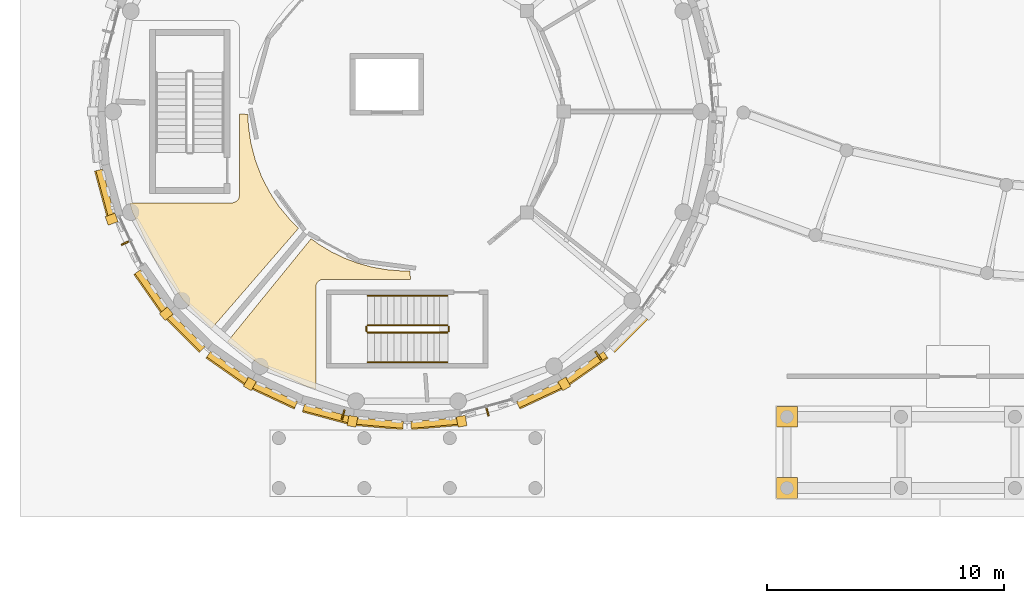
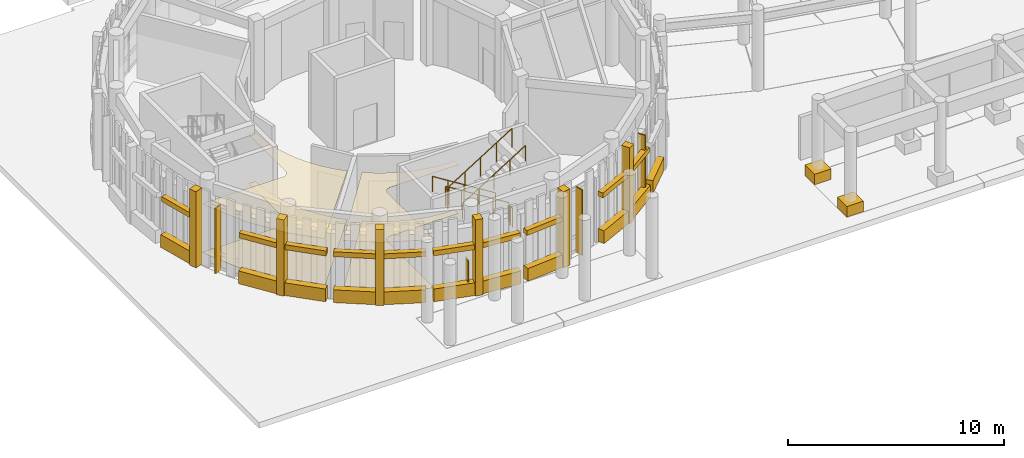
# One storey, part 66 of 94: 33 coverings, 6 railings, 4 shading devices.
"""IFC4 building model written with IfcOpenShell, lengths in metres."""

from ifc_helpers import new_model, si_unit, direction, frame, origin, origin_2d, place, context, subcontext, project, spatial, polyline, rectangle, circle, outline, extrude, material, layer, layer_set, type_object, element, save


model = new_model("IFC4")

# Units and contexts
model_context = context("Model", 3, precision=1e-05, world=origin(), true_north=direction((0.0, 1.0)))
body_context = subcontext(model_context, "Body", "Model", "MODEL_VIEW")
ifc_project = project(units=[si_unit("LENGTHUNIT", "METRE"), si_unit("AREAUNIT", "SQUARE_METRE"), si_unit("VOLUMEUNIT", "CUBIC_METRE"), si_unit("PLANEANGLEUNIT", "RADIAN"), si_unit("MASSUNIT", "GRAM", prefix="KILO")], contexts=[model_context])

# Site, building, storey
site_placement = place(None, origin())
site = spatial("IfcSite", under=ifc_project, at=site_placement, CompositionType="ELEMENT")
building_placement = place(site_placement, origin())
building = spatial("IfcBuilding", under=site, at=building_placement, Name="Aldenvaro Health Centre", CompositionType="ELEMENT")
storey_placement = place(building_placement, origin())
storey = spatial("IfcBuildingStorey", under=building, at=storey_placement, Name="L00", CompositionType="ELEMENT", Elevation=0.0)

# Coverings
ifc_material_1 = material(Name="Antimicrobial Mineral Fibre Ceiling")
ifc_layer_1 = layer(ifc_material_1, 0.01806640625, Name="Antimicrobial Mineral Fibre Ceiling")
ifc_layer_set_1 = layer_set([ifc_layer_1], Name="Antimicrobial Mineral Fibre Ceiling")
covering_type_1 = type_object("IfcCoveringType", Name="COV-CLG-ACT18", PredefinedType="CEILING", material=ifc_layer_set_1)
covering_1_placement = place(storey_placement, frame((0.0, 0.0, 2.75)))
element("IfcCovering", 1, at=covering_1_placement, inside=storey, type_object=covering_type_1, Name="D5-L00-R03 Suspended Ceiling", PredefinedType="CEILING", context=body_context, shape_type="SweptSolid", body=[
    extrude(outline(polyline([(11.81689453125, 17.907958984375), (11.819091796875, 17.882080078125), (11.9208984375, 17.180908203125), (11.927001953125, 17.155029296875), (12.10498046875, 16.469970703125), (12.113037109375, 16.445068359375), (12.364990234375, 15.782958984375), (12.3759765625, 15.759033203125), (12.698974609375, 15.12890625), (12.7119140625, 15.10595703125), (13.10205078125, 14.514892578125), (13.117919921875, 14.493896484375), (13.570068359375, 13.948974609375), (13.587890625, 13.928955078125), (13.93408203125, 13.594970703125), (10.27392578125, 9.3701171875), (9.06298828125, 10.5810546875), (7.8310546875, 12.341064453125), (6.924072265625, 14.287109375), (6.823974609375, 14.659912109375), (11.1201171875, 14.659912109375), (11.132080078125, 14.659912109375), (11.139892578125, 14.660888671875), (11.1630859375, 14.6630859375), (11.1708984375, 14.6640625), (11.194091796875, 14.6689453125), (11.201904296875, 14.6708984375), (11.22412109375, 14.677001953125), (11.23095703125, 14.679931640625), (11.2529296875, 14.68896484375), (11.260009765625, 14.69189453125), (11.281005859375, 14.7041015625), (11.2880859375, 14.7080078125), (11.306884765625, 14.720947265625), (11.31396484375, 14.72509765625), (11.33203125, 14.739990234375), (11.337890625, 14.74609375), (11.35400390625, 14.761962890625), (11.360107421875, 14.76806640625), (11.375, 14.785888671875), (11.37890625, 14.79296875), (11.39208984375, 14.81201171875), (11.39599609375, 14.819091796875), (11.407958984375, 14.840087890625), (11.410888671875, 14.846923828125), (11.419921875, 14.868896484375), (11.423095703125, 14.8759765625), (11.428955078125, 14.89794921875), (11.430908203125, 14.906005859375), (11.43603515625, 14.928955078125), (11.43701171875, 14.93701171875), (11.43896484375, 14.9599609375), (11.43994140625, 14.968017578125), (11.43994140625, 14.97998046875), (11.43994140625, 18.39599609375), (11.799072265625, 18.388916015625), (11.81689453125, 17.907958984375)])), origin(), (0.0, 0.0, 1.0), 0.01806640625),
])
covering_2_placement = place(storey_placement, frame((0.0, 0.0, 2.75)))
element("IfcCovering", 2, at=covering_2_placement, inside=storey, type_object=covering_type_1, Name="D5-L00-R04 Suspended Ceiling", PredefinedType="CEILING", context=body_context, shape_type="SweptSolid", body=[
    extrude(outline(polyline([(14.756103515625, 12.931884765625), (14.77392578125, 12.919921875), (15.283935546875, 12.611083984375), (15.302978515625, 12.60107421875), (15.839111328125, 12.341064453125), (15.85888671875, 12.33203125), (16.416015625, 12.1220703125), (16.43701171875, 12.114990234375), (17.010986328125, 11.95703125), (17.032958984375, 11.952880859375), (17.618896484375, 11.847900390625), (17.64111328125, 11.844970703125), (18.23388671875, 11.7958984375), (18.256103515625, 11.794921875), (18.623046875, 11.798095703125), (18.64208984375, 11.43994140625), (14.97998046875, 11.43994140625), (14.968017578125, 11.43994140625), (14.9599609375, 11.43896484375), (14.93701171875, 11.43701171875), (14.928955078125, 11.43603515625), (14.906005859375, 11.430908203125), (14.89794921875, 11.428955078125), (14.8759765625, 11.423095703125), (14.868896484375, 11.419921875), (14.846923828125, 11.410888671875), (14.840087890625, 11.407958984375), (14.819091796875, 11.39599609375), (14.81201171875, 11.39208984375), (14.79296875, 11.37890625), (14.785888671875, 11.375), (14.76806640625, 11.360107421875), (14.761962890625, 11.35400390625), (14.74609375, 11.337890625), (14.739990234375, 11.33203125), (14.72509765625, 11.31396484375), (14.720947265625, 11.306884765625), (14.7080078125, 11.2880859375), (14.7041015625, 11.281005859375), (14.69189453125, 11.260009765625), (14.68896484375, 11.2529296875), (14.679931640625, 11.23095703125), (14.677001953125, 11.22412109375), (14.6708984375, 11.201904296875), (14.6689453125, 11.194091796875), (14.6640625, 11.1708984375), (14.6630859375, 11.1630859375), (14.660888671875, 11.139892578125), (14.659912109375, 11.132080078125), (14.659912109375, 11.1201171875), (14.659912109375, 6.823974609375), (14.287109375, 6.924072265625), (12.341064453125, 7.8310546875), (10.93701171875, 8.81396484375), (14.4609375, 13.14990234375), (14.756103515625, 12.931884765625)])), origin(), (0.0, 0.0, 1.0), 0.01806640625),
])
ifc_material_2 = material(Name="Honed Sonoran Buff Limestone", Category="masonry")
ifc_layer_2 = layer(ifc_material_2, 0.280029296875, Name="Honed Sonoran Buff Limestone", Category="masonry")
ifc_layer_set_2 = layer_set([ifc_layer_2], Name="Honed Sonoran Buff Limestone")
covering_type_2 = type_object("IfcCoveringType", Name="COV-CRN-STN", PredefinedType="CLADDING", material=ifc_layer_set_2)
for number, where, z_axis, x_axis, name in (
    (3, (27.826904296875, 9.173095703125, 0.0), (0.0, 0.0, 1.0), (-0.707106781187, -0.707106781187, 0.0), "D5 L00 Rusticated Limestone Plinth 5.1"),
    (4, (26.06591796875, 7.695068359375, 0.0), (0.0, 0.0, 1.0), (-0.819106553991, -0.573641397746, 0.0), "D5 L00 Rusticated Limestone Plinth 6.1"),
):
    element("IfcCovering", number, at=place(storey_placement, frame(where, z_axis=z_axis, x_axis=x_axis)), inside=storey, type_object=covering_type_2, Name=name, PredefinedType="CLADDING", context=body_context, shape_type="SweptSolid", body=[
        extrude(rectangle(XDim=1.968994140625, YDim=0.340087890625, at=origin_2d()), origin(), (0.0, 0.0, 1.0), 0.719970703125),
    ])
covering_3_placement = place(storey_placement, frame((26.049072265625, 7.718994140625, 2.5498046875), z_axis=(0.0, 0.0, 1.0), x_axis=(-0.819106553991, -0.573641397746, 0.0)))
element("IfcCovering", 5, at=covering_3_placement, inside=storey, type_object=covering_type_2, Name="D5 L00 Rusticated Limestone Plinth 6.2", PredefinedType="CLADDING", context=body_context, shape_type="SweptSolid", body=[
    extrude(rectangle(XDim=1.968994140625, YDim=0.280029296875, at=origin_2d()), origin(), (0.0, 0.0, 1.0), 0.280029296875),
])
covering_4_placement = place(storey_placement, frame((24.074951171875, 6.544921875, 0.0), z_axis=(0.0, 0.0, 1.0), x_axis=(-0.906364844733, -0.422495879545, 0.0)))
element("IfcCovering", 6, at=covering_4_placement, inside=storey, type_object=covering_type_2, Name="D5 L00 Rusticated Limestone Plinth 7.1", PredefinedType="CLADDING", context=body_context, shape_type="SweptSolid", body=[
    extrude(rectangle(XDim=1.968994140625, YDim=0.340087890625, at=origin_2d()), origin(), (0.0, 0.0, 1.0), 0.719970703125),
])
covering_5_placement = place(storey_placement, frame((24.06201171875, 6.572021484375, 2.5498046875), z_axis=(0.0, 0.0, 1.0), x_axis=(-0.906364844733, -0.422495879545, 0.0)))
element("IfcCovering", 7, at=covering_5_placement, inside=storey, type_object=covering_type_2, Name="D5 L00 Rusticated Limestone Plinth 7.2", PredefinedType="CLADDING", context=body_context, shape_type="SweptSolid", body=[
    extrude(rectangle(XDim=1.968994140625, YDim=0.280029296875, at=origin_2d()), origin(), (0.0, 0.0, 1.0), 0.280029296875),
])
covering_6_placement = place(storey_placement, frame((25.1201171875, 7.033935546875, -0.00048828125), z_axis=(0.0, 0.0, 1.0), x_axis=(0.499990860177, -0.8660306806, 0.0)))
element("IfcCovering", 8, at=covering_6_placement, inside=storey, type_object=covering_type_2, Name="D5 L00 Engaged Classical Limestone Pilaster 04", PredefinedType="CLADDING", context=body_context, shape_type="SweptSolid", body=[
    extrude(rectangle(XDim=0.43994140625, YDim=0.3798828125, at=origin_2d()), origin(), (0.0, 0.0, 1.0), 4.304931640625),
])
covering_7_placement = place(storey_placement, frame((19.64990234375, 5.35888671875, 0.0), z_axis=(0.0, 0.0, 1.0), x_axis=(-0.996193717495, -0.087166950289, 0.0)))
element("IfcCovering", 9, at=covering_7_placement, inside=storey, type_object=covering_type_2, Name="D5 L00 Rusticated Limestone Plinth 9.1", PredefinedType="CLADDING", context=body_context, shape_type="SweptSolid", body=[
    extrude(rectangle(XDim=1.968994140625, YDim=0.340087890625, at=origin_2d()), origin(), (0.0, 0.0, 1.0), 0.719970703125),
])
covering_8_placement = place(storey_placement, frame((19.64697265625, 5.388916015625, 2.5498046875), z_axis=(0.0, 0.0, 1.0), x_axis=(-0.996193717495, -0.087166950289, 0.0)))
element("IfcCovering", 10, at=covering_8_placement, inside=storey, type_object=covering_type_2, Name="D5 L00 Rusticated Limestone Plinth 9.2", PredefinedType="CLADDING", context=body_context, shape_type="SweptSolid", body=[
    extrude(rectangle(XDim=1.968994140625, YDim=0.280029296875, at=origin_2d()), origin(), (0.0, 0.0, 1.0), 0.280029296875),
])
covering_9_placement = place(storey_placement, frame((20.799072265625, 5.4609375, -0.00048828125), z_axis=(0.0, 0.0, 1.0), x_axis=(0.173643819888, -0.984808521396, 0.0)))
element("IfcCovering", 11, at=covering_9_placement, inside=storey, type_object=covering_type_2, Name="D5 L00 Engaged Classical Limestone Pilaster 05", PredefinedType="CLADDING", context=body_context, shape_type="SweptSolid", body=[
    extrude(rectangle(XDim=0.43994140625, YDim=0.3798828125, at=origin_2d()), origin(), (0.0, 0.0, 1.0), 4.304931640625),
])
covering_10_placement = place(storey_placement, frame((17.35009765625, 5.35888671875, 0.0), z_axis=(0.0, 0.0, 1.0), x_axis=(-0.996193717495, 0.087166950289, 0.0)))
element("IfcCovering", 12, at=covering_10_placement, inside=storey, type_object=covering_type_2, Name="D5 L00 Rusticated Limestone Plinth 10.1", PredefinedType="CLADDING", context=body_context, shape_type="SweptSolid", body=[
    extrude(rectangle(XDim=1.968994140625, YDim=0.340087890625, at=origin_2d()), origin(), (0.0, 0.0, 1.0), 0.719970703125),
])
covering_11_placement = place(storey_placement, frame((17.35302734375, 5.388916015625, 2.5498046875), z_axis=(0.0, 0.0, 1.0), x_axis=(-0.996193717495, 0.087166950289, 0.0)))
element("IfcCovering", 13, at=covering_11_placement, inside=storey, type_object=covering_type_2, Name="D5 L00 Rusticated Limestone Plinth 10.2", PredefinedType="CLADDING", context=body_context, shape_type="SweptSolid", body=[
    extrude(rectangle(XDim=1.968994140625, YDim=0.280029296875, at=origin_2d()), origin(), (0.0, 0.0, 1.0), 0.280029296875),
])
covering_12_placement = place(storey_placement, frame((15.0859375, 5.759033203125, 0.0), z_axis=(0.0, 0.0, 1.0), x_axis=(-0.9659242304, 0.258825000966, 0.0)))
element("IfcCovering", 14, at=covering_12_placement, inside=storey, type_object=covering_type_2, Name="D5 L00 Rusticated Limestone Plinth 11.1", PredefinedType="CLADDING", context=body_context, shape_type="SweptSolid", body=[
    extrude(rectangle(XDim=1.968994140625, YDim=0.340087890625, at=origin_2d()), origin(), (0.0, 0.0, 1.0), 0.719970703125),
])
covering_13_placement = place(storey_placement, frame((15.093994140625, 5.7880859375, 2.5498046875), z_axis=(0.0, 0.0, 1.0), x_axis=(-0.9659242304, 0.258825000966, 0.0)))
element("IfcCovering", 15, at=covering_13_placement, inside=storey, type_object=covering_type_2, Name="D5 L00 Rusticated Limestone Plinth 11.2", PredefinedType="CLADDING", context=body_context, shape_type="SweptSolid", body=[
    extrude(rectangle(XDim=1.968994140625, YDim=0.280029296875, at=origin_2d()), origin(), (0.0, 0.0, 1.0), 0.280029296875),
])
covering_14_placement = place(storey_placement, frame((16.200927734375, 5.4609375, -0.00048828125), z_axis=(0.0, 0.0, 1.0), x_axis=(-0.173643819888, -0.984808521396, 0.0)))
element("IfcCovering", 16, at=covering_14_placement, inside=storey, type_object=covering_type_2, Name="D5 L00 Engaged Classical Limestone Pilaster 06", PredefinedType="CLADDING", context=body_context, shape_type="SweptSolid", body=[
    extrude(rectangle(XDim=0.43994140625, YDim=0.3798828125, at=origin_2d()), origin(), (0.0, 0.0, 1.0), 4.304931640625),
])
covering_15_placement = place(storey_placement, frame((12.925048828125, 6.544921875, 0.0), z_axis=(0.0, 0.0, 1.0), x_axis=(-0.906364844733, 0.422495879545, 0.0)))
element("IfcCovering", 17, at=covering_15_placement, inside=storey, type_object=covering_type_2, Name="D5 L00 Rusticated Limestone Plinth 12.1", PredefinedType="CLADDING", context=body_context, shape_type="SweptSolid", body=[
    extrude(rectangle(XDim=1.968994140625, YDim=0.340087890625, at=origin_2d()), origin(), (0.0, 0.0, 1.0), 0.719970703125),
])
covering_16_placement = place(storey_placement, frame((12.93798828125, 6.572021484375, 2.5498046875), z_axis=(0.0, 0.0, 1.0), x_axis=(-0.906364844733, 0.422495879545, 0.0)))
element("IfcCovering", 18, at=covering_16_placement, inside=storey, type_object=covering_type_2, Name="D5 L00 Rusticated Limestone Plinth 12.2", PredefinedType="CLADDING", context=body_context, shape_type="SweptSolid", body=[
    extrude(rectangle(XDim=1.968994140625, YDim=0.280029296875, at=origin_2d()), origin(), (0.0, 0.0, 1.0), 0.280029296875),
])
covering_17_placement = place(storey_placement, frame((10.93408203125, 7.695068359375, 0.0), z_axis=(0.0, 0.0, 1.0), x_axis=(-0.819106553991, 0.573641397746, 0.0)))
element("IfcCovering", 19, at=covering_17_placement, inside=storey, type_object=covering_type_2, Name="D5 L00 Rusticated Limestone Plinth 13.1", PredefinedType="CLADDING", context=body_context, shape_type="SweptSolid", body=[
    extrude(rectangle(XDim=1.968994140625, YDim=0.340087890625, at=origin_2d()), origin(), (0.0, 0.0, 1.0), 0.719970703125),
])
covering_18_placement = place(storey_placement, frame((10.950927734375, 7.718994140625, 2.5498046875), z_axis=(0.0, 0.0, 1.0), x_axis=(-0.819106553991, 0.573641397746, 0.0)))
element("IfcCovering", 20, at=covering_18_placement, inside=storey, type_object=covering_type_2, Name="D5 L00 Rusticated Limestone Plinth 13.2", PredefinedType="CLADDING", context=body_context, shape_type="SweptSolid", body=[
    extrude(rectangle(XDim=1.968994140625, YDim=0.280029296875, at=origin_2d()), origin(), (0.0, 0.0, 1.0), 0.280029296875),
])
covering_19_placement = place(storey_placement, frame((11.8798828125, 7.033935546875, -0.00048828125), z_axis=(0.0, 0.0, 1.0), x_axis=(-0.499990860177, -0.8660306806, 0.0)))
element("IfcCovering", 21, at=covering_19_placement, inside=storey, type_object=covering_type_2, Name="D5 L00 Engaged Classical Limestone Pilaster 07", PredefinedType="CLADDING", context=body_context, shape_type="SweptSolid", body=[
    extrude(rectangle(XDim=0.43994140625, YDim=0.3798828125, at=origin_2d()), origin(), (0.0, 0.0, 1.0), 4.304931640625),
])
covering_20_placement = place(storey_placement, frame((9.173095703125, 9.173095703125, 0.0), z_axis=(0.0, 0.0, 1.0), x_axis=(-0.707106781187, 0.707106781187, 0.0)))
element("IfcCovering", 22, at=covering_20_placement, inside=storey, type_object=covering_type_2, Name="D5 L00 Rusticated Limestone Plinth 14.1", PredefinedType="CLADDING", context=body_context, shape_type="SweptSolid", body=[
    extrude(rectangle(XDim=1.968994140625, YDim=0.340087890625, at=origin_2d()), origin(), (0.0, 0.0, 1.0), 0.719970703125),
])
covering_21_placement = place(storey_placement, frame((9.194091796875, 9.194091796875, 2.5498046875), z_axis=(0.0, 0.0, 1.0), x_axis=(-0.707106781187, 0.707106781187, 0.0)))
element("IfcCovering", 23, at=covering_21_placement, inside=storey, type_object=covering_type_2, Name="D5 L00 Rusticated Limestone Plinth 14.2", PredefinedType="CLADDING", context=body_context, shape_type="SweptSolid", body=[
    extrude(rectangle(XDim=1.968994140625, YDim=0.280029296875, at=origin_2d()), origin(), (0.0, 0.0, 1.0), 0.280029296875),
])
covering_22_placement = place(storey_placement, frame((7.695068359375, 10.93408203125, 0.0), z_axis=(0.0, 0.0, 1.0), x_axis=(-0.573641397746, 0.819106553991, 0.0)))
element("IfcCovering", 24, at=covering_22_placement, inside=storey, type_object=covering_type_2, Name="D5 L00 Rusticated Limestone Plinth 15.1", PredefinedType="CLADDING", context=body_context, shape_type="SweptSolid", body=[
    extrude(rectangle(XDim=1.968994140625, YDim=0.340087890625, at=origin_2d()), origin(), (0.0, 0.0, 1.0), 0.719970703125),
])
covering_23_placement = place(storey_placement, frame((7.718994140625, 10.950927734375, 2.5498046875), z_axis=(0.0, 0.0, 1.0), x_axis=(-0.573641397746, 0.819106553991, 0.0)))
element("IfcCovering", 25, at=covering_23_placement, inside=storey, type_object=covering_type_2, Name="D5 L00 Rusticated Limestone Plinth 15.2", PredefinedType="CLADDING", context=body_context, shape_type="SweptSolid", body=[
    extrude(rectangle(XDim=1.968994140625, YDim=0.280029296875, at=origin_2d()), origin(), (0.0, 0.0, 1.0), 0.280029296875),
])
covering_24_placement = place(storey_placement, frame((8.35791015625, 9.989013671875, -0.00048828125), z_axis=(0.0, 0.0, 1.0), x_axis=(-0.76604377724, -0.642788403249, 0.0)))
element("IfcCovering", 26, at=covering_24_placement, inside=storey, type_object=covering_type_2, Name="D5 L00 Engaged Classical Limestone Pilaster 08", PredefinedType="CLADDING", context=body_context, shape_type="SweptSolid", body=[
    extrude(rectangle(XDim=0.43994140625, YDim=0.3798828125, at=origin_2d()), origin(), (0.0, 0.0, 1.0), 4.304931640625),
])
covering_25_placement = place(storey_placement, frame((5.759033203125, 15.0859375, 0.0), z_axis=(0.0, 0.0, 1.0), x_axis=(-0.258825000966, 0.9659242304, 0.0)))
element("IfcCovering", 27, at=covering_25_placement, inside=storey, type_object=covering_type_2, Name="D5 L00 Rusticated Limestone Plinth 17.1", PredefinedType="CLADDING", context=body_context, shape_type="SweptSolid", body=[
    extrude(rectangle(XDim=1.968994140625, YDim=0.340087890625, at=origin_2d()), origin(), (0.0, 0.0, 1.0), 0.719970703125),
])
covering_26_placement = place(storey_placement, frame((5.7880859375, 15.093994140625, 2.5498046875), z_axis=(0.0, 0.0, 1.0), x_axis=(-0.258825000966, 0.9659242304, 0.0)))
element("IfcCovering", 28, at=covering_26_placement, inside=storey, type_object=covering_type_2, Name="D5 L00 Rusticated Limestone Plinth 17.2", PredefinedType="CLADDING", context=body_context, shape_type="SweptSolid", body=[
    extrude(rectangle(XDim=1.968994140625, YDim=0.280029296875, at=origin_2d()), origin(), (0.0, 0.0, 1.0), 0.280029296875),
])
covering_27_placement = place(storey_placement, frame((6.05810546875, 13.971923828125, -0.00048828125), z_axis=(0.0, 0.0, 1.0), x_axis=(-0.939693796234, -0.34201691379, 0.0)))
element("IfcCovering", 29, at=covering_27_placement, inside=storey, type_object=covering_type_2, Name="D5 L00 Engaged Classical Limestone Pilaster 09", PredefinedType="CLADDING", context=body_context, shape_type="SweptSolid", body=[
    extrude(rectangle(XDim=0.43994140625, YDim=0.3798828125, at=origin_2d()), origin(), (0.0, 0.0, 1.0), 4.304931640625),
])
for number, where, z_axis, x_axis, name in (
    (30, (34.5, 2.64990234375, 0.0), (0.0, 0.0, 1.0), (1.0, 0.0, 0.0), "South Stoa Classical Column Plinth 1"),
    (31, (34.5, 5.64990234375, 0.0), (0.0, 0.0, 1.0), (1.0, 0.0, 0.0), "South Stoa Classical Column Plinth 2"),
):
    element("IfcCovering", number, at=place(storey_placement, frame(where, z_axis=z_axis, x_axis=x_axis)), inside=storey, type_object=covering_type_2, Name=name, PredefinedType="CLADDING", context=body_context, shape_type="SweptSolid", body=[
        extrude(rectangle(XDim=0.8798828125, YDim=0.8798828125, at=origin_2d()), origin(), (0.0, 0.0, 1.0), 0.60009765625),
    ])
ifc_material_3 = material(Name="Seamless Homogeneous Sheet Vinyl")
ifc_layer_3 = layer(ifc_material_3, 0.013916015625, Name="Seamless Homogeneous Sheet Vinyl")
ifc_layer_set_3 = layer_set([ifc_layer_3], Name="Seamless Homogeneous Sheet Vinyl")
covering_type_3 = type_object("IfcCoveringType", Name="COV-FLR-VNL14", PredefinedType="FLOORING", material=ifc_layer_set_3)
covering_28_placement = place(storey_placement, origin())
element("IfcCovering", 32, at=covering_28_placement, inside=storey, type_object=covering_type_3, Name="D5-L00-R03 Flooring", PredefinedType="FLOORING", context=body_context, shape_type="SweptSolid", body=[
    extrude(outline(polyline([(11.81689453125, 17.907958984375), (11.819091796875, 17.882080078125), (11.9208984375, 17.180908203125), (11.927001953125, 17.155029296875), (12.10498046875, 16.469970703125), (12.113037109375, 16.445068359375), (12.364990234375, 15.782958984375), (12.3759765625, 15.759033203125), (12.698974609375, 15.12890625), (12.7119140625, 15.10595703125), (13.10205078125, 14.514892578125), (13.117919921875, 14.493896484375), (13.570068359375, 13.948974609375), (13.587890625, 13.928955078125), (13.93408203125, 13.594970703125), (10.27392578125, 9.3701171875), (9.06298828125, 10.5810546875), (7.8310546875, 12.341064453125), (6.924072265625, 14.287109375), (6.823974609375, 14.659912109375), (11.1201171875, 14.659912109375), (11.132080078125, 14.659912109375), (11.139892578125, 14.660888671875), (11.1630859375, 14.6630859375), (11.1708984375, 14.6640625), (11.194091796875, 14.6689453125), (11.201904296875, 14.6708984375), (11.22412109375, 14.677001953125), (11.23095703125, 14.679931640625), (11.2529296875, 14.68896484375), (11.260009765625, 14.69189453125), (11.281005859375, 14.7041015625), (11.2880859375, 14.7080078125), (11.306884765625, 14.720947265625), (11.31396484375, 14.72509765625), (11.33203125, 14.739990234375), (11.337890625, 14.74609375), (11.35400390625, 14.761962890625), (11.360107421875, 14.76806640625), (11.375, 14.785888671875), (11.37890625, 14.79296875), (11.39208984375, 14.81201171875), (11.39599609375, 14.819091796875), (11.407958984375, 14.840087890625), (11.410888671875, 14.846923828125), (11.419921875, 14.868896484375), (11.423095703125, 14.8759765625), (11.428955078125, 14.89794921875), (11.430908203125, 14.906005859375), (11.43603515625, 14.928955078125), (11.43701171875, 14.93701171875), (11.43896484375, 14.9599609375), (11.43994140625, 14.968017578125), (11.43994140625, 14.97998046875), (11.43994140625, 18.39599609375), (11.799072265625, 18.388916015625), (11.81689453125, 17.907958984375)])), origin(), (0.0, 0.0, 1.0), 0.013916015625),
])
covering_29_placement = place(storey_placement, origin())
element("IfcCovering", 33, at=covering_29_placement, inside=storey, type_object=covering_type_3, Name="D5-L00-R04 Flooring", PredefinedType="FLOORING", context=body_context, shape_type="SweptSolid", body=[
    extrude(outline(polyline([(14.756103515625, 12.931884765625), (14.77392578125, 12.919921875), (15.283935546875, 12.611083984375), (15.302978515625, 12.60107421875), (15.839111328125, 12.341064453125), (15.85888671875, 12.33203125), (16.416015625, 12.1220703125), (16.43701171875, 12.114990234375), (17.010986328125, 11.95703125), (17.032958984375, 11.952880859375), (17.618896484375, 11.847900390625), (17.64111328125, 11.844970703125), (18.23388671875, 11.7958984375), (18.256103515625, 11.794921875), (18.623046875, 11.798095703125), (18.64208984375, 11.43994140625), (14.97998046875, 11.43994140625), (14.968017578125, 11.43994140625), (14.9599609375, 11.43896484375), (14.93701171875, 11.43701171875), (14.928955078125, 11.43603515625), (14.906005859375, 11.430908203125), (14.89794921875, 11.428955078125), (14.8759765625, 11.423095703125), (14.868896484375, 11.419921875), (14.846923828125, 11.410888671875), (14.840087890625, 11.407958984375), (14.819091796875, 11.39599609375), (14.81201171875, 11.39208984375), (14.79296875, 11.37890625), (14.785888671875, 11.375), (14.76806640625, 11.360107421875), (14.761962890625, 11.35400390625), (14.74609375, 11.337890625), (14.739990234375, 11.33203125), (14.72509765625, 11.31396484375), (14.720947265625, 11.306884765625), (14.7080078125, 11.2880859375), (14.7041015625, 11.281005859375), (14.69189453125, 11.260009765625), (14.68896484375, 11.2529296875), (14.679931640625, 11.23095703125), (14.677001953125, 11.22412109375), (14.6708984375, 11.201904296875), (14.6689453125, 11.194091796875), (14.6640625, 11.1708984375), (14.6630859375, 11.1630859375), (14.660888671875, 11.139892578125), (14.659912109375, 11.132080078125), (14.659912109375, 11.1201171875), (14.659912109375, 6.823974609375), (14.287109375, 6.924072265625), (12.341064453125, 7.8310546875), (10.93701171875, 8.81396484375), (14.4609375, 13.14990234375), (14.756103515625, 12.931884765625)])), origin(), (0.0, 0.0, 1.0), 0.013916015625),
])

# Railings
ifc_material_4 = material(Name="Painted Architectural Steel", Category="steel")
railing_type_1 = type_object("IfcRailingType", Name="RL-BAL-INT", PredefinedType="BALUSTRADE", material=ifc_material_4)
railing_1_placement = place(storey_placement, frame((20.199951171875, 9.5, 0.175048828125)))
element("IfcRailing", 34, at=railing_1_placement, inside=storey, type_object=railing_type_1, Name="L00 ST-10 stair guard 1", PredefinedType="BALUSTRADE", context=body_context, shape_type="SweptSolid", body=[
    extrude(circle(Radius=0.02392578125, at=origin_2d()), frame((0.0, 0.0, 1.076171875), z_axis=(-0.848005227453, 0.0, 0.529987862325), x_axis=(0.0, -1.0, 0.0)), (0.0, 0.0, 1.0), 3.962158203125),
    extrude(circle(Radius=0.02099609375, at=origin_2d()), origin(), (0.0, 0.0, 1.0), 1.052001953125),
    extrude(circle(Radius=0.02099609375, at=origin_2d()), frame((-0.83984375, 0.0, 0.52490234375)), (0.0, 0.0, 1.0), 1.052001953125),
    extrude(circle(Radius=0.02099609375, at=origin_2d()), frame((-1.679931640625, 0.0, 1.0498046875)), (0.0, 0.0, 1.0), 1.052001953125),
    extrude(circle(Radius=0.02099609375, at=origin_2d()), frame((-2.52001953125, 0.0, 1.574951171875)), (0.0, 0.0, 1.0), 1.052001953125),
    extrude(circle(Radius=0.02099609375, at=origin_2d()), frame((-3.35986328125, 0.0, 2.099853515625)), (0.0, 0.0, 1.0), 1.052001953125),
])
railing_2_placement = place(storey_placement, frame((16.7900390625, 9.449951171875, 2.27490234375)))
element("IfcRailing", 35, at=railing_2_placement, inside=storey, type_object=railing_type_1, Name="L00 ST-10 stair guard 2", PredefinedType="BALUSTRADE", context=body_context, shape_type="SweptSolid", body=[
    extrude(circle(Radius=0.02392578125, at=origin_2d()), frame((0.0, 0.0, 1.076171875), z_axis=(0.0, -1.0, 0.0), x_axis=(1.0, 0.0, 0.0)), (0.0, 0.0, 1.0), 0.199951171875),
    extrude(circle(Radius=0.02099609375, at=origin_2d()), origin(), (0.0, 0.0, 1.0), 1.052001953125),
    extrude(circle(Radius=0.02099609375, at=origin_2d()), frame((0.0, -0.199951171875, 0.0)), (0.0, 0.0, 1.0), 1.052001953125),
])
railing_3_placement = place(storey_placement, frame((16.840087890625, 9.199951171875, 2.449951171875)))
element("IfcRailing", 36, at=railing_3_placement, inside=storey, type_object=railing_type_1, Name="L00 ST-10 stair guard 3", PredefinedType="BALUSTRADE", context=body_context, shape_type="SweptSolid", body=[
    extrude(circle(Radius=0.02392578125, at=origin_2d()), frame((0.0, 0.0, 1.076171875), z_axis=(0.847977533471, 0.0, 0.530032171408), x_axis=(0.0, 1.0, 0.0)), (0.0, 0.0, 1.0), 3.962158203125),
    extrude(circle(Radius=0.02099609375, at=origin_2d()), origin(), (0.0, 0.0, 1.0), 1.052001953125),
    extrude(circle(Radius=0.02099609375, at=origin_2d()), frame((0.83984375, 0.0, 0.52490234375)), (0.0, 0.0, 1.0), 1.052001953125),
    extrude(circle(Radius=0.02099609375, at=origin_2d()), frame((1.679931640625, 0.0, 1.050048828125)), (0.0, 0.0, 1.0), 1.052001953125),
    extrude(circle(Radius=0.02099609375, at=origin_2d()), frame((2.52001953125, 0.0, 1.5751953125)), (0.0, 0.0, 1.0), 1.052001953125),
    extrude(circle(Radius=0.02099609375, at=origin_2d()), frame((3.35986328125, 0.0, 2.10009765625)), (0.0, 0.0, 1.0), 1.052001953125),
])
railing_4_placement = place(storey_placement, frame((20.25, 9.449951171875, 0.0)))
element("IfcRailing", 37, at=railing_4_placement, inside=storey, type_object=railing_type_1, Name="L00 ST-10 stair guard 4", PredefinedType="BALUSTRADE", context=body_context, shape_type="SweptSolid", body=[
    extrude(circle(Radius=0.02392578125, at=origin_2d()), frame((0.0, 0.0, 1.076171875), z_axis=(0.0, -1.0, 0.0), x_axis=(1.0, 0.0, 0.0)), (0.0, 0.0, 1.0), 0.199951171875),
    extrude(circle(Radius=0.02099609375, at=origin_2d()), origin(), (0.0, 0.0, 1.0), 1.052001953125),
    extrude(circle(Radius=0.02099609375, at=origin_2d()), frame((0.0, -0.199951171875, 0.0)), (0.0, 0.0, 1.0), 1.052001953125),
])
railing_type_2 = type_object("IfcRailingType", Name="RL-HND-INT", PredefinedType="HANDRAIL", material=ifc_material_4)
railing_5_placement = place(storey_placement, frame((20.199951171875, 10.75, 0.175048828125)))
element("IfcRailing", 38, at=railing_5_placement, inside=storey, type_object=railing_type_2, Name="L00 ST-10 stair handrail 1", PredefinedType="HANDRAIL", context=body_context, shape_type="SweptSolid", body=[
    extrude(circle(Radius=0.02392578125, at=origin_2d()), frame((0.0, 0.0, 0.8759765625), z_axis=(-0.848005227453, 0.0, 0.529987862325), x_axis=(0.0, -1.0, 0.0)), (0.0, 0.0, 1.0), 3.962158203125),
    extrude(circle(Radius=0.02099609375, at=origin_2d()), origin(), (0.0, 0.0, 1.0), 0.851806640625),
    extrude(circle(Radius=0.02099609375, at=origin_2d()), frame((-0.83984375, 0.0, 0.52490234375)), (0.0, 0.0, 1.0), 0.851806640625),
    extrude(circle(Radius=0.02099609375, at=origin_2d()), frame((-1.679931640625, 0.0, 1.0498046875)), (0.0, 0.0, 1.0), 0.851806640625),
    extrude(circle(Radius=0.02099609375, at=origin_2d()), frame((-2.52001953125, 0.0, 1.574951171875)), (0.0, 0.0, 1.0), 0.851806640625),
    extrude(circle(Radius=0.02099609375, at=origin_2d()), frame((-3.35986328125, 0.0, 2.099853515625)), (0.0, 0.0, 1.0), 0.851806640625),
])
railing_6_placement = place(storey_placement, frame((16.840087890625, 7.949951171875, 2.449951171875)))
element("IfcRailing", 39, at=railing_6_placement, inside=storey, type_object=railing_type_2, Name="L00 ST-10 stair handrail 2", PredefinedType="HANDRAIL", context=body_context, shape_type="SweptSolid", body=[
    extrude(circle(Radius=0.02392578125, at=origin_2d()), frame((0.0, 0.0, 0.8759765625), z_axis=(0.847977533471, 0.0, 0.530032171408), x_axis=(0.0, 1.0, 0.0)), (0.0, 0.0, 1.0), 3.962158203125),
    extrude(circle(Radius=0.02099609375, at=origin_2d()), origin(), (0.0, 0.0, 1.0), 0.851806640625),
    extrude(circle(Radius=0.02099609375, at=origin_2d()), frame((0.83984375, 0.0, 0.52490234375)), (0.0, 0.0, 1.0), 0.851806640625),
    extrude(circle(Radius=0.02099609375, at=origin_2d()), frame((1.679931640625, 0.0, 1.050048828125)), (0.0, 0.0, 1.0), 0.851806640625),
    extrude(circle(Radius=0.02099609375, at=origin_2d()), frame((2.52001953125, 0.0, 1.5751953125)), (0.0, 0.0, 1.0), 0.851806640625),
    extrude(circle(Radius=0.02099609375, at=origin_2d()), frame((3.35986328125, 0.0, 2.10009765625)), (0.0, 0.0, 1.0), 0.851806640625),
])

# Shading devices
ifc_material_5 = material(Name="Douglas Fir Exterior Glulam GL28h", Category="wood")
shading_device_type_1 = type_object("IfcShadingDeviceType", Name="SHD-FIN-190", PredefinedType="USERDEFINED", material=ifc_material_5)
shading_device_1_placement = place(storey_placement, frame((15.80908203125, 5.736083984375, -0.02001953125), z_axis=(0.0, 0.0, 1.0), x_axis=(-0.9659242304, 0.258825000966, 0.0)))
element("IfcShadingDevice", 40, at=shading_device_1_placement, inside=storey, type_object=shading_device_type_1, Name="D5 L00 Douglas fir fin 11.1", ObjectType="FIN", PredefinedType="USERDEFINED", context=body_context, shape_type="SweptSolid", body=[
    extrude(rectangle(XDim=0.06494140625, YDim=0.419921875, at=origin_2d()), origin(), (0.0, 0.0, 1.0), 1.89990234375),
])
shading_device_type_2 = type_object("IfcShadingDeviceType", Name="SHD-FIN-380", PredefinedType="USERDEFINED", material=ifc_material_5)
shading_device_2_placement = place(storey_placement, frame((26.548095703125, 8.23388671875, -0.0205078125), z_axis=(0.0, 0.0, 1.0), x_axis=(-0.819106553991, -0.573641397746, 0.0)))
element("IfcShadingDevice", 41, at=shading_device_2_placement, inside=storey, type_object=shading_device_type_2, Name="D5 L00 Douglas fir fin 6.1", ObjectType="FIN", PredefinedType="USERDEFINED", context=body_context, shape_type="SweptSolid", body=[
    extrude(rectangle(XDim=0.074951171875, YDim=0.419921875, at=origin_2d()), origin(), (0.0, 0.0, 1.0), 3.698974609375),
])
shading_device_type_3 = type_object("IfcShadingDeviceType", Name="SHD-FIN-420", PredefinedType="USERDEFINED", material=ifc_material_5)
shading_device_3_placement = place(storey_placement, frame((6.6630859375, 12.97998046875, -0.0205078125), z_axis=(0.0, 0.0, 1.0), x_axis=(-0.422495879545, 0.906364844733, 0.0)))
element("IfcShadingDevice", 42, at=shading_device_3_placement, inside=storey, type_object=shading_device_type_3, Name="D5 L00 vertical timber fin 16.0", ObjectType="FIN", PredefinedType="USERDEFINED", context=body_context, shape_type="SweptSolid", body=[
    extrude(rectangle(XDim=0.06494140625, YDim=0.419921875, at=origin_2d()), origin(), (0.0, 0.0, 1.0), 3.698974609375),
])
shading_device_type_4 = type_object("IfcShadingDeviceType", Name="SHD-FIN-455", PredefinedType="USERDEFINED", material=ifc_material_5)
shading_device_4_placement = place(storey_placement, frame((21.8798828125, 5.884033203125, -0.0205078125), z_axis=(0.0, 0.0, 1.0), x_axis=(-0.9659242304, -0.258825000966, 0.0)))
element("IfcShadingDevice", 43, at=shading_device_4_placement, inside=storey, type_object=shading_device_type_4, Name="D5 L00 vertical timber fin 8.0", ObjectType="FIN", PredefinedType="USERDEFINED", context=body_context, shape_type="SweptSolid", body=[
    extrude(rectangle(XDim=0.06494140625, YDim=0.419921875, at=origin_2d()), origin(), (0.0, 0.0, 1.0), 3.698974609375),
])

save(model, "model.ifc")
